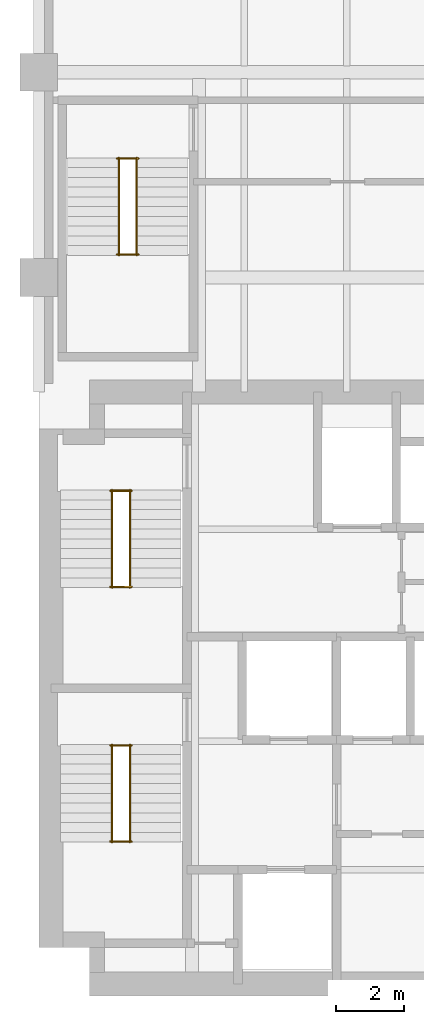
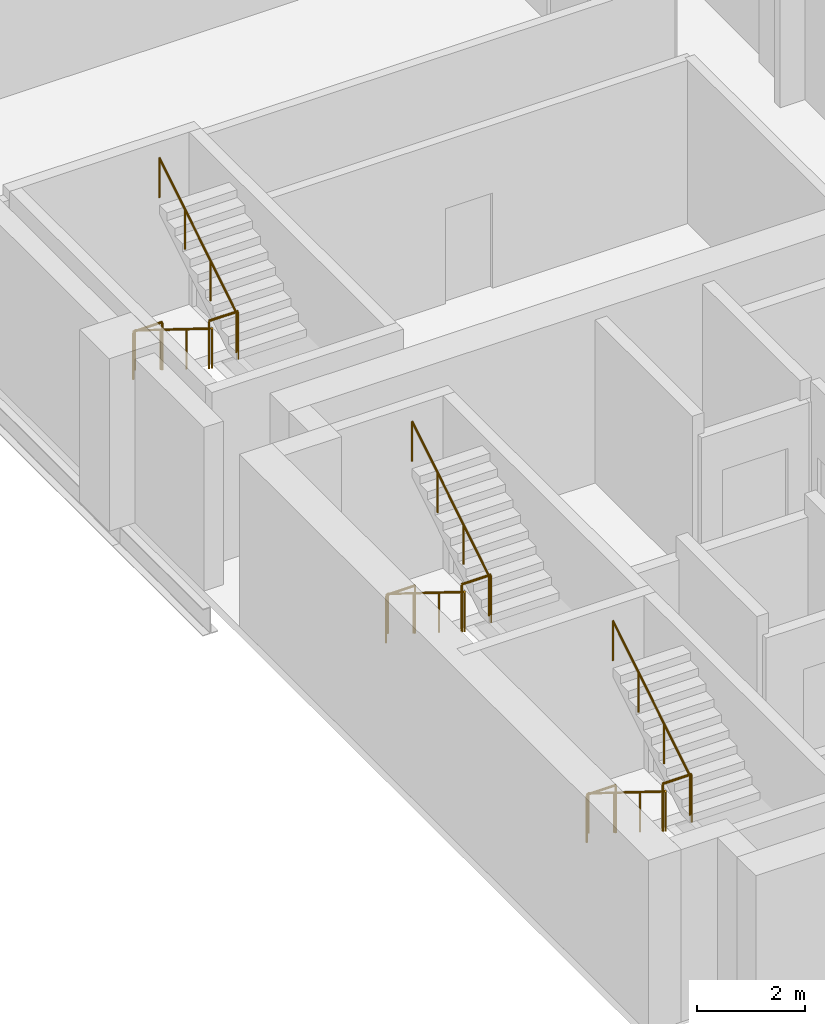
# One storey, part 10 of 10: 12 railings.
"""IFC4 building model written with IfcOpenShell, lengths in metres."""

from ifc_helpers import new_model, si_unit, direction, frame, origin, origin_2d, place, context, subcontext, project, spatial, circle, extrude, material, type_object, element, save


model = new_model("IFC4")

# Units and contexts
model_context = context("Model", 3, precision=1e-05, world=origin(), true_north=direction((0.0, 1.0)))
body_context = subcontext(model_context, "Body", "Model", "MODEL_VIEW")
ifc_project = project(units=[si_unit("LENGTHUNIT", "METRE"), si_unit("AREAUNIT", "SQUARE_METRE"), si_unit("VOLUMEUNIT", "CUBIC_METRE"), si_unit("PLANEANGLEUNIT", "RADIAN"), si_unit("MASSUNIT", "GRAM", prefix="KILO")], contexts=[model_context])

# Site, building, storey
site_placement = place(None, origin())
site = spatial("IfcSite", under=ifc_project, at=site_placement, CompositionType="ELEMENT")
building_placement = place(site_placement, origin())
building = spatial("IfcBuilding", under=site, at=building_placement, Name="Mawjdan Bourse Tower", CompositionType="ELEMENT")
storey_placement = place(building_placement, frame((0.0, 0.0, 124.5)))
storey = spatial("IfcBuildingStorey", under=building, at=storey_placement, Name="L29", CompositionType="ELEMENT", Elevation=124.5)

# Railings
ifc_material_1 = material(Name="Structural Steel S355", Category="steel")
railing_type_1 = type_object("IfcRailingType", Name="RLG-GRD-1100", PredefinedType="GUARDRAIL", material=ifc_material_1)
for number, where, name in (
    (1, (8.090087890625, 7.52001953125, 1.949951171875), "L29 ST1 Landing Guardrail GL-MID"),
    (2, (8.090087890625, 10.330078125, 0.0), "L29 ST1 Landing Guardrail GL-BOT"),
    (3, (8.090087890625, 14.9599609375, 1.949951171875), "L29 ST2 Landing Guardrail GL-MID"),
    (4, (8.090087890625, 17.77001953125, 0.0), "L29 ST2 Landing Guardrail GL-BOT"),
    (5, (8.2900390625, 24.669921875, 1.949951171875), "L29 ST3 Landing Guardrail GL-MID"),
    (6, (8.2900390625, 27.47998046875, 0.0), "L29 ST3 Landing Guardrail GL-BOT"),
):
    element("IfcRailing", number, at=place(storey_placement, frame(where)), inside=storey, type_object=railing_type_1, Name=name, PredefinedType="GUARDRAIL", context=body_context, shape_type="SweptSolid", body=[
        extrude(circle(Radius=0.02490234375, at=origin_2d()), frame((0.0, 0.0, 1.0751953125), z_axis=(1.0, 0.0, 0.0), x_axis=(0.0, 1.0, 0.0)), (0.0, 0.0, 1.0), 0.619873046875),
        extrude(circle(Radius=0.02099609375, at=origin_2d()), origin(), (0.0, 0.0, 1.0), 1.050048828125),
        extrude(circle(Radius=0.02099609375, at=origin_2d()), frame((0.619873046875, 0.0, 0.0)), (0.0, 0.0, 1.0), 1.050048828125),
    ])
ifc_material_2 = material(Name="Brushed Stainless Steel", Category="steel")
railing_type_2 = type_object("IfcRailingType", Name="RLG-HND-920", PredefinedType="HANDRAIL", material=ifc_material_2)
railing_1_placement = place(storey_placement, frame((8.139892578125, 10.35009765625, 0.17724609375)))
element("IfcRailing", 7, at=railing_1_placement, inside=storey, type_object=railing_type_2, Name="L29 ST1 Flight Handrail HR1", PredefinedType="HANDRAIL", context=body_context, shape_type="SweptSolid", body=[
    extrude(circle(Radius=0.0224609375, at=origin_2d()), frame((0.0, 0.0, 0.8974609375), z_axis=(0.0, -0.849148672731, 0.528153890072), x_axis=(1.0, 0.0, 0.0)), (0.0, 0.0, 1.0), 3.3564453125),
    extrude(circle(Radius=0.01904296875, at=origin_2d()), origin(), (0.0, 0.0, 1.0), 0.875),
    extrude(circle(Radius=0.01904296875, at=origin_2d()), frame((0.0, -0.949951171875, 0.5908203125)), (0.0, 0.0, 1.0), 0.875),
    extrude(circle(Radius=0.01904296875, at=origin_2d()), frame((0.0, -1.900146484375, 1.181884765625)), (0.0, 0.0, 1.0), 0.875),
    extrude(circle(Radius=0.01904296875, at=origin_2d()), frame((0.0, -2.85009765625, 1.772705078125)), (0.0, 0.0, 1.0), 0.875),
])
railing_2_placement = place(storey_placement, frame((8.659912109375, 7.5, 2.127197265625)))
element("IfcRailing", 8, at=railing_2_placement, inside=storey, type_object=railing_type_2, Name="L29 ST1 Flight Handrail HR2", PredefinedType="HANDRAIL", context=body_context, shape_type="SweptSolid", body=[
    extrude(circle(Radius=0.0224609375, at=origin_2d()), frame((0.0, 0.0, 0.8974609375), z_axis=(0.0, 0.849148672731, 0.528153890072), x_axis=(-1.0, 0.0, 0.0)), (0.0, 0.0, 1.0), 3.3564453125),
    extrude(circle(Radius=0.01904296875, at=origin_2d()), origin(), (0.0, 0.0, 1.0), 0.875),
    extrude(circle(Radius=0.01904296875, at=origin_2d()), frame((0.0, 0.949951171875, 0.5908203125)), (0.0, 0.0, 1.0), 0.875),
    extrude(circle(Radius=0.01904296875, at=origin_2d()), frame((0.0, 1.900146484375, 1.181884765625)), (0.0, 0.0, 1.0), 0.875),
    extrude(circle(Radius=0.01904296875, at=origin_2d()), frame((0.0, 2.85009765625, 1.772705078125)), (0.0, 0.0, 1.0), 0.875),
])
railing_3_placement = place(storey_placement, frame((8.139892578125, 17.7900390625, 0.17724609375)))
element("IfcRailing", 9, at=railing_3_placement, inside=storey, type_object=railing_type_2, Name="L29 ST2 Flight Handrail HR1", PredefinedType="HANDRAIL", context=body_context, shape_type="SweptSolid", body=[
    extrude(circle(Radius=0.0224609375, at=origin_2d()), frame((0.0, 0.0, 0.8974609375), z_axis=(0.0, -0.849148672731, 0.528153890072), x_axis=(1.0, 0.0, 0.0)), (0.0, 0.0, 1.0), 3.3564453125),
    extrude(circle(Radius=0.01904296875, at=origin_2d()), origin(), (0.0, 0.0, 1.0), 0.875),
    extrude(circle(Radius=0.01904296875, at=origin_2d()), frame((0.0, -0.949951171875, 0.5908203125)), (0.0, 0.0, 1.0), 0.875),
    extrude(circle(Radius=0.01904296875, at=origin_2d()), frame((0.0, -1.900146484375, 1.181884765625)), (0.0, 0.0, 1.0), 0.875),
    extrude(circle(Radius=0.01904296875, at=origin_2d()), frame((0.0, -2.85009765625, 1.772705078125)), (0.0, 0.0, 1.0), 0.875),
])
railing_4_placement = place(storey_placement, frame((8.659912109375, 14.93994140625, 2.127197265625)))
element("IfcRailing", 10, at=railing_4_placement, inside=storey, type_object=railing_type_2, Name="L29 ST2 Flight Handrail HR2", PredefinedType="HANDRAIL", context=body_context, shape_type="SweptSolid", body=[
    extrude(circle(Radius=0.0224609375, at=origin_2d()), frame((0.0, 0.0, 0.8974609375), z_axis=(0.0, 0.849148672731, 0.528153890072), x_axis=(-1.0, 0.0, 0.0)), (0.0, 0.0, 1.0), 3.3564453125),
    extrude(circle(Radius=0.01904296875, at=origin_2d()), origin(), (0.0, 0.0, 1.0), 0.875),
    extrude(circle(Radius=0.01904296875, at=origin_2d()), frame((0.0, 0.949951171875, 0.5908203125)), (0.0, 0.0, 1.0), 0.875),
    extrude(circle(Radius=0.01904296875, at=origin_2d()), frame((0.0, 1.900146484375, 1.181884765625)), (0.0, 0.0, 1.0), 0.875),
    extrude(circle(Radius=0.01904296875, at=origin_2d()), frame((0.0, 2.85009765625, 1.772705078125)), (0.0, 0.0, 1.0), 0.875),
])
railing_5_placement = place(storey_placement, frame((8.340087890625, 27.5, 0.17724609375)))
element("IfcRailing", 11, at=railing_5_placement, inside=storey, type_object=railing_type_2, Name="L29 ST3 Flight Handrail HR1", PredefinedType="HANDRAIL", context=body_context, shape_type="SweptSolid", body=[
    extrude(circle(Radius=0.0224609375, at=origin_2d()), frame((0.0, 0.0, 0.8974609375), z_axis=(0.0, -0.849148672731, 0.528153890072), x_axis=(1.0, 0.0, 0.0)), (0.0, 0.0, 1.0), 3.3564453125),
    extrude(circle(Radius=0.01904296875, at=origin_2d()), origin(), (0.0, 0.0, 1.0), 0.875),
    extrude(circle(Radius=0.01904296875, at=origin_2d()), frame((0.0, -0.949951171875, 0.5908203125)), (0.0, 0.0, 1.0), 0.875),
    extrude(circle(Radius=0.01904296875, at=origin_2d()), frame((0.0, -1.900146484375, 1.181884765625)), (0.0, 0.0, 1.0), 0.875),
    extrude(circle(Radius=0.01904296875, at=origin_2d()), frame((0.0, -2.85009765625, 1.772705078125)), (0.0, 0.0, 1.0), 0.875),
])
railing_6_placement = place(storey_placement, frame((8.860107421875, 24.64990234375, 2.127197265625)))
element("IfcRailing", 12, at=railing_6_placement, inside=storey, type_object=railing_type_2, Name="L29 ST3 Flight Handrail HR2", PredefinedType="HANDRAIL", context=body_context, shape_type="SweptSolid", body=[
    extrude(circle(Radius=0.0224609375, at=origin_2d()), frame((0.0, 0.0, 0.8974609375), z_axis=(0.0, 0.849148672731, 0.528153890072), x_axis=(-1.0, 0.0, 0.0)), (0.0, 0.0, 1.0), 3.3564453125),
    extrude(circle(Radius=0.01904296875, at=origin_2d()), origin(), (0.0, 0.0, 1.0), 0.875),
    extrude(circle(Radius=0.01904296875, at=origin_2d()), frame((0.0, 0.949951171875, 0.5908203125)), (0.0, 0.0, 1.0), 0.875),
    extrude(circle(Radius=0.01904296875, at=origin_2d()), frame((0.0, 1.900146484375, 1.181884765625)), (0.0, 0.0, 1.0), 0.875),
    extrude(circle(Radius=0.01904296875, at=origin_2d()), frame((0.0, 2.85009765625, 1.772705078125)), (0.0, 0.0, 1.0), 0.875),
])

save(model, "model.ifc")
